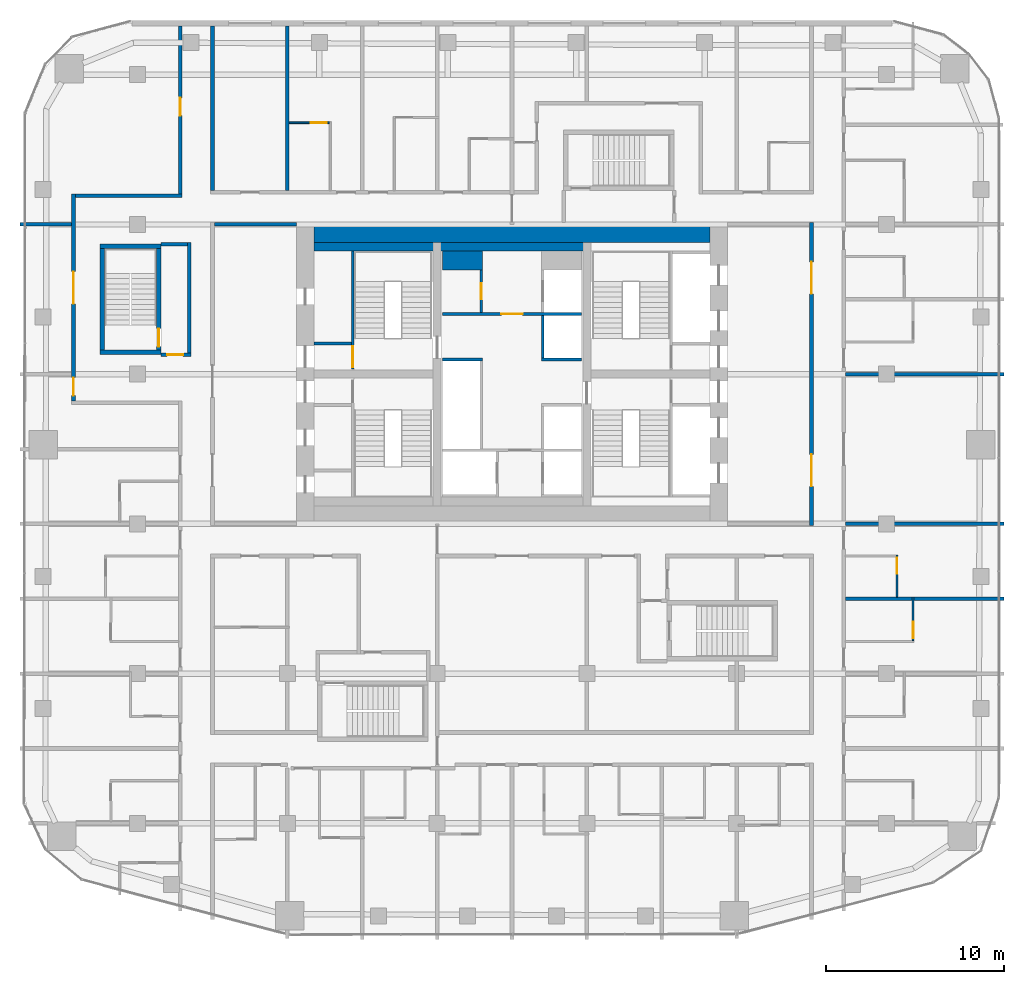
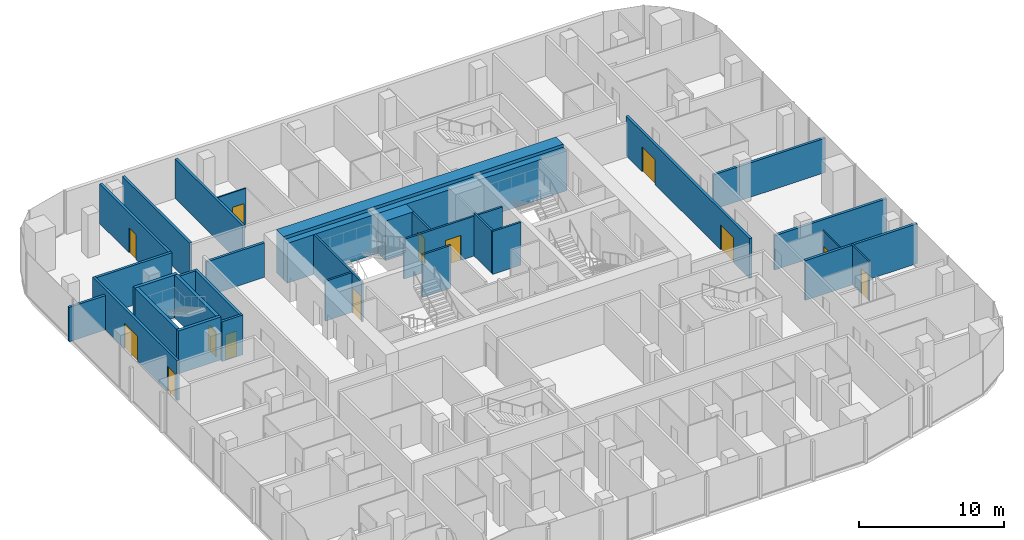
# One storey, part 18 of 23: 31 walls, 13 doors, 13 openings.
"""IFC4 building model written with IfcOpenShell, lengths in metres."""

from ifc_helpers import new_model, si_unit, direction, frame, frame_2d, origin, place, context, subcontext, project, spatial, rectangle, extrude, material, layer, layer_set, type_object, element, fill, save


model = new_model("IFC4")

# Units and contexts
model_context = context("Model", 3, precision=1e-05, world=origin(), true_north=direction((0.0, 1.0)))
body_context = subcontext(model_context, "Body", "Model", "MODEL_VIEW")
ifc_project = project(units=[si_unit("LENGTHUNIT", "METRE"), si_unit("AREAUNIT", "SQUARE_METRE"), si_unit("VOLUMEUNIT", "CUBIC_METRE"), si_unit("PLANEANGLEUNIT", "RADIAN"), si_unit("MASSUNIT", "GRAM", prefix="KILO")], contexts=[model_context])

# Site, building, storey
site_placement = place(None, origin())
site = spatial("IfcSite", under=ifc_project, at=site_placement, CompositionType="ELEMENT")
building_placement = place(site_placement, origin())
building = spatial("IfcBuilding", under=site, at=building_placement, Name="Marenta Gate Hotel Tower", CompositionType="ELEMENT")
storey_placement = place(building_placement, frame((0.0, 0.0, 112.10009765625)))
storey = spatial("IfcBuildingStorey", under=building, at=storey_placement, Name="L24", CompositionType="ELEMENT", Elevation=112.10009765625)

# Wall
ifc_material_1 = material(Name="Concrete blockwork", Category="masonry")
ifc_layer_1 = layer(ifc_material_1, 0.199951171875)
ifc_layer_set_1 = layer_set([ifc_layer_1], Name="Concrete blockwork")
wall_type_1 = type_object("IfcWallType", Name="Core boundary wall 200 REI 180", PredefinedType="PARTITIONING", material=ifc_layer_set_1)
wall_1_placement = place(storey_placement, frame((-16.699951171875, 16.800048828125, 0.0), z_axis=(0.0, 0.0, 1.0), x_axis=(1.0, 0.0, 0.0)))
element("IfcWall", 1, at=wall_1_placement, inside=storey, type_object=wall_type_1, Name="L24-CP-EW-WN", PredefinedType="PARTITIONING", context=body_context, shape_type="SweptSolid", body=[
    extrude(rectangle(XDim=4.599853515625, YDim=0.199951171875, at=frame_2d((2.2998046875, 0.0))), origin(), (0.0, 0.0, 1.0), 2.889892578125),
])

# Wall, openings, doors
wall_2_placement = place(storey_placement, frame((16.800048828125, -0.10009765625, 0.0), z_axis=(0.0, 0.0, 1.0), x_axis=(0.0, 1.0, 0.0)))
wall_2 = element("IfcWall", 2, at=wall_2_placement, inside=storey, type_object=wall_type_1, Name="L24-CP-BW-E", PredefinedType="PARTITIONING", context=body_context, shape_type="SweptSolid", body=[
    extrude(rectangle(XDim=17.0, YDim=0.199951171875, at=frame_2d((8.5, 0.0))), origin(), (0.0, 0.0, 1.0), 3.33984375),
])
opening_1_placement = place(wall_2_placement, frame((2.199951171875, 0.0, 0.0)))
opening_1 = element("IfcOpeningElement", 3, at=opening_1_placement, cuts=wall_2, Name="Opening ED-Ea-B", PredefinedType="OPENING", context=body_context, shape_type="SweptSolid", body=[
    extrude(rectangle(XDim=1.800048828125, YDim=2.10009765625, at=frame_2d((0.89990234375, 1.050048828125))), frame((0.0, 0.10009765625, 0.0), z_axis=(0.0, -1.0, 0.0), x_axis=(1.0, 0.0, 0.0)), (0.0, 0.0, 1.0), 0.199951171875),
])
opening_2_placement = place(wall_2_placement, frame((13.0, 0.0, 0.0)))
opening_2 = element("IfcOpeningElement", 4, at=opening_2_placement, cuts=wall_2, Name="Opening ED-Eb-B", PredefinedType="OPENING", context=body_context, shape_type="SweptSolid", body=[
    extrude(rectangle(XDim=1.800048828125, YDim=2.10009765625, at=frame_2d((0.89990234375, 1.050048828125))), frame((0.0, 0.10009765625, 0.0), z_axis=(0.0, -1.0, 0.0), x_axis=(1.0, 0.0, 0.0)), (0.0, 0.0, 1.0), 0.199951171875),
])
ifc_material_2 = material(Name="Steel", Category="steel")
door_type_1 = type_object("IfcDoorType", Name="Core lobby entrance door 1800x2100 EI 60", OperationType="DOUBLE_DOOR_SINGLE_SWING", PredefinedType="DOOR", material=ifc_material_2)
door_1_placement = place(opening_1_placement, origin())
door_1 = element("IfcDoor", 5, at=door_1_placement, inside=storey, type_object=door_type_1, Name="ED-Ea-B", OperationType="DOUBLE_DOOR_SINGLE_SWING", OverallHeight=2.10009765625, OverallWidth=1.800048828125, PredefinedType="DOOR", context=body_context, shape_type="SweptSolid", body=[
    extrude(rectangle(XDim=1.800048828125, YDim=2.10009765625, at=frame_2d((0.89990234375, 1.050048828125))), frame((0.0, 0.02490234375, 0.0), z_axis=(0.0, -1.0, 0.0), x_axis=(1.0, 0.0, 0.0)), (0.0, 0.0, 1.0), 0.050048828125),
])
fill(opening_1, door_1)
door_2_placement = place(opening_2_placement, origin())
door_2 = element("IfcDoor", 6, at=door_2_placement, inside=storey, type_object=door_type_1, Name="ED-Eb-B", OperationType="DOUBLE_DOOR_SINGLE_SWING", OverallHeight=2.10009765625, OverallWidth=1.800048828125, PredefinedType="DOOR", context=body_context, shape_type="SweptSolid", body=[
    extrude(rectangle(XDim=1.800048828125, YDim=2.10009765625, at=frame_2d((0.89990234375, 1.050048828125))), frame((0.0, 0.02490234375, 0.0), z_axis=(0.0, -1.0, 0.0), x_axis=(1.0, 0.0, 0.0)), (0.0, 0.0, 1.0), 0.050048828125),
])
fill(opening_2, door_2)

# Wall
ifc_material_3 = material(Name="Concrete C40", Category="concrete")
ifc_layer_2 = layer(ifc_material_3, 0.5)
ifc_layer_set_2 = layer_set([ifc_layer_2], Name="Concrete C40")
wall_type_2 = type_object("IfcWallType", Name="Core lining wall 500 REI 180", PredefinedType="PARTITIONING", material=ifc_layer_set_2)
wall_3_placement = place(storey_placement, frame((-11.10009765625, 15.550048828125, 0.0), z_axis=(0.0, 0.0, 1.0), x_axis=(1.0, 0.0, 0.0)))
element("IfcWall", 7, at=wall_3_placement, inside=storey, type_object=wall_type_2, Name="L24-CP-LN-N", PredefinedType="PARTITIONING", context=body_context, shape_type="SweptSolid", body=[
    extrude(rectangle(XDim=22.2001953125, YDim=0.5, at=frame_2d((11.10009765625, 0.0))), origin(), (0.0, 0.0, 1.0), 3.33984375),
])

# Wall, opening, door
ifc_material_4 = material(Name="Concrete blockwork", Category="masonry")
ifc_layer_3 = layer(ifc_material_4, 0.14990234375)
ifc_layer_set_3 = layer_set([ifc_layer_3], Name="Concrete blockwork")
wall_type_3 = type_object("IfcWallType", Name="Core lobby partition 150 REI 180", PredefinedType="PARTITIONING", material=ifc_layer_set_3)
wall_4_placement = place(storey_placement, frame((-3.89990234375, 11.77490234375, 0.0), z_axis=(0.0, 0.0, 1.0), x_axis=(1.0, 0.0, 0.0)))
wall_4 = element("IfcWall", 8, at=wall_4_placement, inside=storey, type_object=wall_type_3, Name="L24-CP-CW-N", PredefinedType="PARTITIONING", context=body_context, shape_type="SweptSolid", body=[
    extrude(rectangle(XDim=7.7998046875, YDim=0.14990234375, at=frame_2d((3.89990234375, 0.0))), origin(), (0.0, 0.0, 1.0), 3.33984375),
])
opening_3_placement = place(wall_4_placement, frame((3.300048828125, 0.0, 0.0)))
opening_3 = element("IfcOpeningElement", 9, at=opening_3_placement, cuts=wall_4, Name="Opening FD-FFN", PredefinedType="OPENING", context=body_context, shape_type="SweptSolid", body=[
    extrude(rectangle(XDim=1.199951171875, YDim=2.10009765625, at=frame_2d((0.60009765625, 1.050048828125))), frame((0.0, 0.074951171875, 0.0), z_axis=(0.0, -1.0, 0.0), x_axis=(1.0, 0.0, 0.0)), (0.0, 0.0, 1.0), 0.14990234375),
])
ifc_material_5 = material(Name="Steel", Category="steel")
door_type_2 = type_object("IfcDoorType", Name="Core lobby door 1200x2100 FD60", OperationType="SINGLE_SWING_LEFT", PredefinedType="DOOR", material=ifc_material_5)
door_3_placement = place(opening_3_placement, origin())
door_3 = element("IfcDoor", 10, at=door_3_placement, inside=storey, type_object=door_type_2, Name="FD-FFN", OperationType="SINGLE_SWING_LEFT", OverallHeight=2.10009765625, OverallWidth=1.199951171875, PredefinedType="DOOR", context=body_context, shape_type="SweptSolid", body=[
    extrude(rectangle(XDim=1.199951171875, YDim=2.10009765625, at=frame_2d((0.60009765625, 1.050048828125))), frame((0.0, 0.02490234375, 0.0), z_axis=(0.0, -1.0, 0.0), x_axis=(1.0, 0.0, 0.0)), (0.0, 0.0, 1.0), 0.050048828125),
])
fill(opening_3, door_3)

# Walls
ifc_material_6 = material(Name="Concrete blockwork", Category="masonry")
ifc_layer_4 = layer(ifc_material_6, 1.050048828125)
ifc_layer_set_4 = layer_set([ifc_layer_4], Name="Concrete blockwork")
wall_type_4 = type_object("IfcWallType", Name="Core room partition 1050 REI 180", PredefinedType="PARTITIONING", material=ifc_layer_set_4)
wall_5_placement = place(storey_placement, frame((-3.89990234375, 14.77490234375, 0.0), z_axis=(0.0, 0.0, 1.0), x_axis=(1.0, 0.0, 0.0)))
element("IfcWall", 11, at=wall_5_placement, inside=storey, type_object=wall_type_4, Name="L24-CP-CW-W-riser-N", PredefinedType="PARTITIONING", context=body_context, shape_type="SweptSolid", body=[
    extrude(rectangle(XDim=2.25, YDim=1.050048828125, at=frame_2d((1.125, 0.0))), origin(), (0.0, 0.0, 1.0), 3.33984375),
])
ifc_material_7 = material(Name="Concrete blockwork", Category="masonry")
ifc_layer_5 = layer(ifc_material_7, 0.14990234375)
ifc_layer_set_5 = layer_set([ifc_layer_5], Name="Concrete blockwork")
wall_type_5 = type_object("IfcWallType", Name="Core room partition 150 REI 180", PredefinedType="PARTITIONING", material=ifc_layer_set_5)
wall_6_placement = place(storey_placement, frame((-11.10009765625, 10.125, 0.0), z_axis=(0.0, 0.0, 1.0), x_axis=(1.0, 0.0, 0.0)))
element("IfcWall", 12, at=wall_6_placement, inside=storey, type_object=wall_type_5, Name="L24-CP-SW-WN-2", PredefinedType="PARTITIONING", context=body_context, shape_type="SweptSolid", body=[
    extrude(rectangle(XDim=2.10009765625, YDim=0.14990234375, at=frame_2d((1.050048828125, 0.0))), origin(), (0.0, 0.0, 1.0), 3.33984375),
])

# Wall, opening, door
wall_7_placement = place(storey_placement, frame((-1.72509765625, 11.85009765625, 0.0), z_axis=(0.0, 0.0, 1.0), x_axis=(0.0, 1.0, 0.0)))
wall_7 = element("IfcWall", 13, at=wall_7_placement, inside=storey, type_object=wall_type_5, Name="L24-CP-CW-W-riser-front", PredefinedType="PARTITIONING", context=body_context, shape_type="SweptSolid", body=[
    extrude(rectangle(XDim=2.39990234375, YDim=0.14990234375, at=frame_2d((1.199951171875, 0.0))), origin(), (0.0, 0.0, 1.0), 3.33984375),
])
opening_4_placement = place(wall_7_placement, frame((0.75, 0.0, 0.0)))
opening_4 = element("IfcOpeningElement", 14, at=opening_4_placement, cuts=wall_7, Name="Opening RD-CRISER", PredefinedType="OPENING", context=body_context, shape_type="SweptSolid", body=[
    extrude(rectangle(XDim=0.89990234375, YDim=2.10009765625, at=frame_2d((0.449951171875, 1.050048828125))), frame((0.0, 0.074951171875, 0.0), z_axis=(0.0, -1.0, 0.0), x_axis=(1.0, 0.0, 0.0)), (0.0, 0.0, 1.0), 0.14990234375),
])
ifc_material_8 = material(Name="Steel", Category="steel")
door_type_3 = type_object("IfcDoorType", Name="Core riser door 900x2100 FD60", OperationType="SINGLE_SWING_LEFT", PredefinedType="DOOR", material=ifc_material_8)
door_4_placement = place(opening_4_placement, origin())
door_4 = element("IfcDoor", 15, at=door_4_placement, inside=storey, type_object=door_type_3, Name="RD-CRISER", OperationType="SINGLE_SWING_LEFT", OverallHeight=2.10009765625, OverallWidth=0.89990234375, PredefinedType="DOOR", context=body_context, shape_type="SweptSolid", body=[
    extrude(rectangle(XDim=0.89990234375, YDim=2.10009765625, at=frame_2d((0.449951171875, 1.050048828125))), frame((0.0, 0.02490234375, 0.0), z_axis=(0.0, -1.0, 0.0), x_axis=(1.0, 0.0, 0.0)), (0.0, 0.0, 1.0), 0.050048828125),
])
fill(opening_4, door_4)

# Walls
ifc_material_9 = material(Name="Concrete C40", Category="concrete")
ifc_layer_6 = layer(ifc_material_9, 0.14990234375)
ifc_layer_set_6 = layer_set([ifc_layer_6], Name="Concrete C40")
wall_type_6 = type_object("IfcWallType", Name="Core shaft wall 150 REI 180", PredefinedType="SHEAR", material=ifc_layer_set_6)
for number, where, z_axis, x_axis, name in (
    (16, (-3.89990234375, 9.22509765625, 0.0), (0.0, 0.0, 1.0), (1.0, 0.0, 0.0), "L24-SHF-CW-W-sep"),
    (17, (1.64990234375, 9.22509765625, 0.0), (0.0, 0.0, 1.0), (1.0, 0.0, 0.0), "L24-SHF-CE-sep2"),
):
    element("IfcWall", number, at=place(storey_placement, frame(where, z_axis=z_axis, x_axis=x_axis)), inside=storey, type_object=wall_type_6, Name=name, PredefinedType="SHEAR", context=body_context, shape_type="SweptSolid", body=[
        extrude(rectangle(XDim=2.25, YDim=0.14990234375, at=frame_2d((1.125, 0.0))), origin(), (0.0, 0.0, 1.0), 3.599853515625),
    ])
wall_8_placement = place(storey_placement, frame((1.72509765625, 9.300048828125, 0.0), z_axis=(0.0, 0.0, 1.0), x_axis=(0.0, 1.0, 0.0)))
element("IfcWall", 18, at=wall_8_placement, inside=storey, type_object=wall_type_6, Name="L24-SHF-CE-front-2", PredefinedType="SHEAR", context=body_context, shape_type="SweptSolid", body=[
    extrude(rectangle(XDim=2.39990234375, YDim=0.14990234375, at=frame_2d((1.199951171875, 0.0))), origin(), (0.0, 0.0, 1.0), 3.599853515625),
])

# Wall, opening, door
ifc_material_10 = material(Name="Concrete C40", Category="concrete")
ifc_layer_7 = layer(ifc_material_10, 0.14990234375)
ifc_layer_set_7 = layer_set([ifc_layer_7], Name="Concrete C40")
wall_type_7 = type_object("IfcWallType", Name="Core stair enclosure wall 150 REI 180", PredefinedType="SHEAR", material=ifc_layer_set_7)
wall_9_placement = place(storey_placement, frame((-8.925048828125, 8.699951171875, 0.0), z_axis=(0.0, 0.0, 1.0), x_axis=(0.0, 1.0, 0.0)))
wall_9 = element("IfcWall", 19, at=wall_9_placement, inside=storey, type_object=wall_type_7, Name="L24-SHF-SW-WN-3", PredefinedType="SHEAR", context=body_context, shape_type="SweptSolid", body=[
    extrude(rectangle(XDim=6.60009765625, YDim=0.14990234375, at=frame_2d((3.300048828125, 0.0))), origin(), (0.0, 0.0, 1.0), 3.33984375),
])
opening_5_placement = place(wall_9_placement, frame((0.074951171875, 0.0, 0.0)))
opening_5 = element("IfcOpeningElement", 20, at=opening_5_placement, cuts=wall_9, Name="Opening SD-WN", PredefinedType="OPENING", context=body_context, shape_type="SweptSolid", body=[
    extrude(rectangle(XDim=1.199951171875, YDim=2.10009765625, at=frame_2d((0.60009765625, 1.050048828125))), frame((0.0, 0.074951171875, 0.0), z_axis=(0.0, -1.0, 0.0), x_axis=(1.0, 0.0, 0.0)), (0.0, 0.0, 1.0), 0.14990234375),
])
ifc_material_11 = material(Name="Steel", Category="steel")
door_type_4 = type_object("IfcDoorType", Name="Core stair door 1200x2100 FD60", OperationType="SINGLE_SWING_LEFT", PredefinedType="DOOR", material=ifc_material_11)
door_5_placement = place(opening_5_placement, origin())
door_5 = element("IfcDoor", 21, at=door_5_placement, inside=storey, type_object=door_type_4, Name="SD-WN", OperationType="SINGLE_SWING_LEFT", OverallHeight=2.10009765625, OverallWidth=1.199951171875, PredefinedType="DOOR", context=body_context, shape_type="SweptSolid", body=[
    extrude(rectangle(XDim=1.199951171875, YDim=2.10009765625, at=frame_2d((0.60009765625, 1.050048828125))), frame((0.0, 0.02490234375, 0.0), z_axis=(0.0, -1.0, 0.0), x_axis=(1.0, 0.0, 0.0)), (0.0, 0.0, 1.0), 0.050048828125),
])
fill(opening_5, door_5)

# Walls
ifc_material_12 = material(Name="Concrete C70", Category="concrete")
ifc_layer_8 = layer(ifc_material_12, 1.0)
ifc_layer_set_8 = layer_set([ifc_layer_8], Name="Concrete C70")
wall_type_8 = type_object("IfcWallType", Name="Core wall 1000 C70", PredefinedType="SHEAR", material=ifc_layer_set_8)
wall_10_placement = place(storey_placement, frame((-11.10009765625, 16.300048828125, 0.0), z_axis=(0.0, 0.0, 1.0), x_axis=(1.0, 0.0, 0.0)))
element("IfcWall", 22, at=wall_10_placement, inside=storey, type_object=wall_type_8, Name="L24-CORE-N", PredefinedType="SHEAR", context=body_context, shape_type="SweptSolid", body=[
    extrude(rectangle(XDim=22.2001953125, YDim=1.0, at=frame_2d((11.10009765625, 0.0))), origin(), (0.0, 0.0, 1.0), 3.599853515625),
])
ifc_material_13 = material(Name="Concrete C40", Category="concrete")
ifc_layer_9 = layer(ifc_material_13, 0.25)
ifc_layer_set_9 = layer_set([ifc_layer_9], Name="Concrete C40")
wall_type_9 = type_object("IfcWallType", Name="Remote stair enclosure wall 250 REI 180", PredefinedType="SHEAR", material=ifc_layer_set_9)
for number, where, z_axis, x_axis, name in (
    (23, (-23.10009765625, 9.625, 0.099853515625), (0.0, 0.0, 1.0), (1.0, 0.0, 0.0), "L24-RS-Z1-3-W1"),
    (24, (-23.10009765625, 15.574951171875, 0.099853515625), (0.0, 0.0, 1.0), (1.0, 0.0, 0.0), "L24-RS-Z1-3-W2"),
):
    element("IfcWall", number, at=place(storey_placement, frame(where, z_axis=z_axis, x_axis=x_axis)), inside=storey, type_object=wall_type_9, Name=name, PredefinedType="SHEAR", context=body_context, shape_type="SweptSolid", body=[
        extrude(rectangle(XDim=3.400146484375, YDim=0.25, at=frame_2d((1.7001953125, 0.0))), origin(), (0.0, 0.0, 1.0), 3.60009765625),
    ])
wall_11_placement = place(storey_placement, frame((-22.97509765625, 9.75, 0.099853515625), z_axis=(0.0, 0.0, 1.0), x_axis=(0.0, 1.0, 0.0)))
element("IfcWall", 25, at=wall_11_placement, inside=storey, type_object=wall_type_9, Name="L24-RS-Z1-3-W3", PredefinedType="SHEAR", context=body_context, shape_type="SweptSolid", body=[
    extrude(rectangle(XDim=5.699951171875, YDim=0.25, at=frame_2d((2.85009765625, 0.0))), origin(), (0.0, 0.0, 1.0), 3.60009765625),
])

# Wall, opening, door
wall_12_placement = place(storey_placement, frame((-19.824951171875, 9.75, 0.099853515625), z_axis=(0.0, 0.0, 1.0), x_axis=(0.0, 1.0, 0.0)))
wall_12 = element("IfcWall", 26, at=wall_12_placement, inside=storey, type_object=wall_type_9, Name="L24-RS-Z1-3-W4", PredefinedType="SHEAR", context=body_context, shape_type="SweptSolid", body=[
    extrude(rectangle(XDim=5.699951171875, YDim=0.25, at=frame_2d((2.85009765625, 0.0))), origin(), (0.0, 0.0, 1.0), 3.60009765625),
])
opening_6_placement = place(wall_12_placement, frame((0.199951171875, 0.0, 0.0)))
opening_6 = element("IfcOpeningElement", 27, at=opening_6_placement, cuts=wall_12, Name="Opening VD", PredefinedType="OPENING", context=body_context, shape_type="SweptSolid", body=[
    extrude(rectangle(XDim=1.0, YDim=2.10009765625, at=frame_2d((0.5, 1.050048828125))), frame((0.0, 0.125, 0.0), z_axis=(0.0, -1.0, 0.0), x_axis=(1.0, 0.0, 0.0)), (0.0, 0.0, 1.0), 0.25),
])
ifc_material_14 = material(Name="Steel", Category="steel")
door_type_5 = type_object("IfcDoorType", Name="Stair vestibule door 1000x2100 FD60", OperationType="SINGLE_SWING_LEFT", PredefinedType="DOOR", material=ifc_material_14)
door_6_placement = place(opening_6_placement, origin())
door_6 = element("IfcDoor", 28, at=door_6_placement, inside=storey, type_object=door_type_5, Name="VD", OperationType="SINGLE_SWING_LEFT", OverallHeight=2.10009765625, OverallWidth=1.0, PredefinedType="DOOR", context=body_context, shape_type="SweptSolid", body=[
    extrude(rectangle(XDim=1.0, YDim=2.10009765625, at=frame_2d((0.5, 1.050048828125))), frame((0.0, 0.02490234375, 0.0), z_axis=(0.0, -1.0, 0.0), x_axis=(1.0, 0.0, 0.0)), (0.0, 0.0, 1.0), 0.050048828125),
])
fill(opening_6, door_6)

# Walls
ifc_material_15 = material(Name="Gypsum board on steel stud", Category="steel")
ifc_layer_10 = layer(ifc_material_15, 0.199951171875)
ifc_layer_set_10 = layer_set([ifc_layer_10], Name="Gypsum board on steel stud")
wall_type_10 = type_object("IfcWallType", Name="Room corridor wall 200 EI 60", PredefinedType="PARTITIONING", material=ifc_layer_set_10)
wall_13_placement = place(storey_placement, frame((-16.800048828125, 18.699951171875, 0.0), z_axis=(0.0, 0.0, 1.0), x_axis=(0.0, 1.0, 0.0)))
element("IfcWall", 29, at=wall_13_placement, inside=storey, type_object=wall_type_10, Name="L24-PTN-W105", PredefinedType="PARTITIONING", context=body_context, shape_type="SweptSolid", body=[
    extrude(rectangle(XDim=9.239990234375, YDim=0.199951171875, at=frame_2d((4.6201171875, 0.0))), origin(), (0.0, 0.0, 1.0), 3.33984375),
])
wall_14_placement = place(storey_placement, frame((-24.5, 18.39990234375, 0.0), z_axis=(0.0, 0.0, 1.0), x_axis=(1.0, 0.0, 0.0)))
element("IfcWall", 30, at=wall_14_placement, inside=storey, type_object=wall_type_10, Name="L24-PTN-W109", PredefinedType="PARTITIONING", context=body_context, shape_type="SweptSolid", body=[
    extrude(rectangle(XDim=6.0, YDim=0.199951171875, at=frame_2d((3.0, 0.0))), origin(), (0.0, 0.0, 1.0), 3.33984375),
])

# Wall, opening, door
wall_15_placement = place(storey_placement, frame((-18.60009765625, 18.5, 0.0), z_axis=(0.0, 0.0, 1.0), x_axis=(0.0, 1.0, 0.0)))
wall_15 = element("IfcWall", 31, at=wall_15_placement, inside=storey, type_object=wall_type_10, Name="L24-PTN-W111", PredefinedType="PARTITIONING", context=body_context, shape_type="SweptSolid", body=[
    extrude(rectangle(XDim=9.43994140625, YDim=0.199951171875, at=frame_2d((4.719970703125, 0.0))), origin(), (0.0, 0.0, 1.0), 3.33984375),
])
opening_7_placement = place(wall_15_placement, frame((4.39990234375, 0.0, 0.0)))
opening_7 = element("IfcOpeningElement", 32, at=opening_7_placement, cuts=wall_15, Name="Opening G08-70", PredefinedType="OPENING", context=body_context, shape_type="SweptSolid", body=[
    extrude(rectangle(XDim=1.0, YDim=2.10009765625, at=frame_2d((0.5, 1.050048828125))), frame((0.0, 0.10009765625, 0.0), z_axis=(0.0, -1.0, 0.0), x_axis=(1.0, 0.0, 0.0)), (0.0, 0.0, 1.0), 0.199951171875),
])
ifc_material_16 = material(Name="Timber door leaf", Category="wood")
door_type_6 = type_object("IfcDoorType", Name="Room amenity door 1000x2100 EI 30", OperationType="NOTDEFINED", PredefinedType="DOOR", material=ifc_material_16)
door_7_placement = place(opening_7_placement, origin())
door_7 = element("IfcDoor", 33, at=door_7_placement, inside=storey, type_object=door_type_6, Name="L24-PD-D070", OperationType="SINGLE_SWING_RIGHT", OverallHeight=2.10009765625, OverallWidth=1.0, PredefinedType="DOOR", context=body_context, shape_type="SweptSolid", body=[
    extrude(rectangle(XDim=1.0, YDim=2.10009765625, at=frame_2d((0.5, 1.050048828125))), frame((0.0, 0.02490234375, 0.0), z_axis=(0.0, -1.0, 0.0), x_axis=(1.0, 0.0, 0.0)), (0.0, 0.0, 1.0), 0.050048828125),
])
fill(opening_7, door_7)

# Wall, openings, doors
wall_16_placement = place(storey_placement, frame((-24.60009765625, 6.89990234375, 0.0), z_axis=(0.0, 0.0, 1.0), x_axis=(0.0, 1.0, 0.0)))
wall_16 = element("IfcWall", 34, at=wall_16_placement, inside=storey, type_object=wall_type_10, Name="L24-PTN-W129", PredefinedType="PARTITIONING", context=body_context, shape_type="SweptSolid", body=[
    extrude(rectangle(XDim=11.60009765625, YDim=0.199951171875, at=frame_2d((5.800048828125, 0.0))), origin(), (0.0, 0.0, 1.0), 3.33984375),
])
opening_8_placement = place(wall_16_placement, frame((5.449951171875, 0.0, 0.0)))
opening_8 = element("IfcOpeningElement", 35, at=opening_8_placement, cuts=wall_16, Name="Opening G08-65", PredefinedType="OPENING", context=body_context, shape_type="SweptSolid", body=[
    extrude(rectangle(XDim=1.800048828125, YDim=2.10009765625, at=frame_2d((0.89990234375, 1.050048828125))), frame((0.0, 0.10009765625, 0.0), z_axis=(0.0, -1.0, 0.0), x_axis=(1.0, 0.0, 0.0)), (0.0, 0.0, 1.0), 0.199951171875),
])
opening_9_placement = place(wall_16_placement, frame((0.300048828125, 0.0, 0.0)))
opening_9 = element("IfcOpeningElement", 36, at=opening_9_placement, cuts=wall_16, Name="Opening G08-71", PredefinedType="OPENING", context=body_context, shape_type="SweptSolid", body=[
    extrude(rectangle(XDim=1.0, YDim=2.10009765625, at=frame_2d((0.5, 1.050048828125))), frame((0.0, 0.10009765625, 0.0), z_axis=(0.0, -1.0, 0.0), x_axis=(1.0, 0.0, 0.0)), (0.0, 0.0, 1.0), 0.199951171875),
])
door_8_placement = place(opening_9_placement, origin())
door_8 = element("IfcDoor", 37, at=door_8_placement, inside=storey, type_object=door_type_6, Name="L24-PD-D071", OperationType="SINGLE_SWING_LEFT", OverallHeight=2.10009765625, OverallWidth=1.0, PredefinedType="DOOR", context=body_context, shape_type="SweptSolid", body=[
    extrude(rectangle(XDim=1.0, YDim=2.10009765625, at=frame_2d((0.5, 1.050048828125))), frame((0.0, 0.02490234375, 0.0), z_axis=(0.0, -1.0, 0.0), x_axis=(1.0, 0.0, 0.0)), (0.0, 0.0, 1.0), 0.050048828125),
])
fill(opening_9, door_8)
ifc_material_17 = material(Name="Timber door leaf", Category="wood")
door_type_7 = type_object("IfcDoorType", Name="Room amenity door 1800x2100 EI 30", OperationType="DOUBLE_DOOR_SINGLE_SWING", PredefinedType="DOOR", material=ifc_material_17)
door_9_placement = place(opening_8_placement, origin())
door_9 = element("IfcDoor", 38, at=door_9_placement, inside=storey, type_object=door_type_7, Name="L24-PD-D065", OperationType="DOUBLE_DOOR_SINGLE_SWING", OverallHeight=2.10009765625, OverallWidth=1.800048828125, PredefinedType="DOOR", context=body_context, shape_type="SweptSolid", body=[
    extrude(rectangle(XDim=1.800048828125, YDim=2.10009765625, at=frame_2d((0.89990234375, 1.050048828125))), frame((0.0, 0.02490234375, 0.0), z_axis=(0.0, -1.0, 0.0), x_axis=(1.0, 0.0, 0.0)), (0.0, 0.0, 1.0), 0.050048828125),
])
fill(opening_8, door_9)

# Wall, opening, door
ifc_material_18 = material(Name="Concrete blockwork", Category="masonry")
ifc_layer_11 = layer(ifc_material_18, 0.199951171875)
ifc_layer_set_11 = layer_set([ifc_layer_11], Name="Concrete blockwork")
wall_type_11 = type_object("IfcWallType", Name="Room corridor wall 200 REI 180", PredefinedType="PARTITIONING", material=ifc_layer_set_11)
wall_17_placement = place(storey_placement, frame((-19.699951171875, 9.5, 0.0), z_axis=(0.0, 0.0, 1.0), x_axis=(1.0, 0.0, 0.0)))
wall_17 = element("IfcWall", 39, at=wall_17_placement, inside=storey, type_object=wall_type_11, Name="L24-PTN-W091", PredefinedType="PARTITIONING", context=body_context, shape_type="SweptSolid", body=[
    extrude(rectangle(XDim=1.699951171875, YDim=0.199951171875, at=frame_2d((0.85009765625, 0.0))), origin(), (0.0, 0.0, 1.0), 3.33984375),
])
opening_10_placement = place(wall_17_placement, frame((0.35009765625, 0.0, 0.0)))
opening_10 = element("IfcOpeningElement", 40, at=opening_10_placement, cuts=wall_17, Name="Opening G08-66", PredefinedType="OPENING", context=body_context, shape_type="SweptSolid", body=[
    extrude(rectangle(XDim=0.89990234375, YDim=2.10009765625, at=frame_2d((0.449951171875, 1.050048828125))), frame((0.0, 0.10009765625, 0.0), z_axis=(0.0, -1.0, 0.0), x_axis=(1.0, 0.0, 0.0)), (0.0, 0.0, 1.0), 0.199951171875),
])
ifc_material_19 = material(Name="Hollow steel door set", Category="steel")
door_type_8 = type_object("IfcDoorType", Name="Stair vestibule door 900x2100 EI 60", OperationType="NOTDEFINED", PredefinedType="DOOR", material=ifc_material_19)
door_10_placement = place(opening_10_placement, origin())
door_10 = element("IfcDoor", 41, at=door_10_placement, inside=storey, type_object=door_type_8, Name="L24-PD-D066", OperationType="SINGLE_SWING_RIGHT", OverallHeight=2.10009765625, OverallWidth=0.89990234375, PredefinedType="DOOR", context=body_context, shape_type="SweptSolid", body=[
    extrude(rectangle(XDim=0.89990234375, YDim=2.10009765625, at=frame_2d((0.449951171875, 1.050048828125))), frame((0.0, 0.02490234375, 0.0), z_axis=(0.0, -1.0, 0.0), x_axis=(1.0, 0.0, 0.0)), (0.0, 0.0, 1.0), 0.050048828125),
])
fill(opening_10, door_10)

# Walls
wall_18_placement = place(storey_placement, frame((-19.699951171875, 15.699951171875, 0.0), z_axis=(0.0, 0.0, 1.0), x_axis=(1.0, 0.0, 0.0)))
element("IfcWall", 42, at=wall_18_placement, inside=storey, type_object=wall_type_11, Name="L24-PTN-W102", PredefinedType="PARTITIONING", context=body_context, shape_type="SweptSolid", body=[
    extrude(rectangle(XDim=1.5, YDim=0.199951171875, at=frame_2d((0.75, 0.0))), origin(), (0.0, 0.0, 1.0), 3.33984375),
])
wall_19_placement = place(storey_placement, frame((-18.10009765625, 9.60009765625, 0.0), z_axis=(0.0, 0.0, 1.0), x_axis=(0.0, 1.0, 0.0)))
element("IfcWall", 43, at=wall_19_placement, inside=storey, type_object=wall_type_11, Name="L24-PTN-W108", PredefinedType="PARTITIONING", context=body_context, shape_type="SweptSolid", body=[
    extrude(rectangle(XDim=6.199951171875, YDim=0.199951171875, at=frame_2d((3.10009765625, 0.0))), origin(), (0.0, 0.0, 1.0), 3.33984375),
])

# Wall, opening, door
ifc_material_20 = material(Name="Gypsum board on steel stud", Category="steel")
ifc_layer_12 = layer(ifc_material_20, 0.10009765625)
ifc_layer_set_12 = layer_set([ifc_layer_12], Name="Gypsum board on steel stud")
wall_type_12 = type_object("IfcWallType", Name="Room partition 100", PredefinedType="PARTITIONING", material=ifc_layer_set_12)
wall_20_placement = place(storey_placement, frame((22.5, -6.550048828125, 0.0), z_axis=(0.0, 0.0, 1.0), x_axis=(0.0, 1.0, 0.0)))
wall_20 = element("IfcWall", 44, at=wall_20_placement, inside=storey, type_object=wall_type_12, Name="L24-PTN-W002", PredefinedType="PARTITIONING", context=body_context, shape_type="SweptSolid", body=[
    extrude(rectangle(XDim=2.449951171875, YDim=0.10009765625, at=frame_2d((1.22509765625, 0.0))), origin(), (0.0, 0.0, 1.0), 3.33984375),
])
opening_11_placement = place(wall_20_placement, frame((0.14990234375, 0.0, 0.0)))
opening_11 = element("IfcOpeningElement", 45, at=opening_11_placement, cuts=wall_20, Name="Opening G08-13", PredefinedType="OPENING", context=body_context, shape_type="SweptSolid", body=[
    extrude(rectangle(XDim=0.89990234375, YDim=2.10009765625, at=frame_2d((0.449951171875, 1.050048828125))), frame((0.0, 0.050048828125, 0.0), z_axis=(0.0, -1.0, 0.0), x_axis=(1.0, 0.0, 0.0)), (0.0, 0.0, 1.0), 0.10009765625),
])
ifc_material_21 = material(Name="Timber door leaf", Category="wood")
door_type_9 = type_object("IfcDoorType", Name="Guest bathroom door 900x2100", OperationType="NOTDEFINED", PredefinedType="DOOR", material=ifc_material_21)
door_11_placement = place(opening_11_placement, origin())
door_11 = element("IfcDoor", 46, at=door_11_placement, inside=storey, type_object=door_type_9, Name="L24-PD-D013", OperationType="SINGLE_SWING_LEFT", OverallHeight=2.10009765625, OverallWidth=0.89990234375, PredefinedType="DOOR", context=body_context, shape_type="SweptSolid", body=[
    extrude(rectangle(XDim=0.89990234375, YDim=2.10009765625, at=frame_2d((0.449951171875, 1.050048828125))), frame((0.0, 0.02490234375, 0.0), z_axis=(0.0, -1.0, 0.0), x_axis=(1.0, 0.0, 0.0)), (0.0, 0.0, 1.0), 0.050048828125),
])
fill(opening_11, door_11)

wall_21_placement = place(storey_placement, frame((21.60009765625, -4.10009765625, 0.0), z_axis=(0.0, 0.0, 1.0), x_axis=(0.0, 1.0, 0.0)))
wall_21 = element("IfcWall", 47, at=wall_21_placement, inside=storey, type_object=wall_type_12, Name="L24-PTN-W008", PredefinedType="PARTITIONING", context=body_context, shape_type="SweptSolid", body=[
    extrude(rectangle(XDim=2.35009765625, YDim=0.10009765625, at=frame_2d((1.175048828125, 0.0))), origin(), (0.0, 0.0, 1.0), 3.33984375),
])
opening_12_placement = place(wall_21_placement, frame((1.300048828125, 0.0, 0.0)))
opening_12 = element("IfcOpeningElement", 48, at=opening_12_placement, cuts=wall_21, Name="Opening G08-15", PredefinedType="OPENING", context=body_context, shape_type="SweptSolid", body=[
    extrude(rectangle(XDim=0.89990234375, YDim=2.10009765625, at=frame_2d((0.449951171875, 1.050048828125))), frame((0.0, 0.050048828125, 0.0), z_axis=(0.0, -1.0, 0.0), x_axis=(1.0, 0.0, 0.0)), (0.0, 0.0, 1.0), 0.10009765625),
])
door_12_placement = place(opening_12_placement, origin())
door_12 = element("IfcDoor", 49, at=door_12_placement, inside=storey, type_object=door_type_9, Name="L24-PD-D015", OperationType="SINGLE_SWING_RIGHT", OverallHeight=2.10009765625, OverallWidth=0.89990234375, PredefinedType="DOOR", context=body_context, shape_type="SweptSolid", body=[
    extrude(rectangle(XDim=0.89990234375, YDim=2.10009765625, at=frame_2d((0.449951171875, 1.050048828125))), frame((0.0, 0.02490234375, 0.0), z_axis=(0.0, -1.0, 0.0), x_axis=(1.0, 0.0, 0.0)), (0.0, 0.0, 1.0), 0.050048828125),
])
fill(opening_12, door_12)

wall_22_placement = place(storey_placement, frame((-12.5, 22.5, 0.0), z_axis=(0.0, 0.0, 1.0), x_axis=(1.0, 0.0, 0.0)))
wall_22 = element("IfcWall", 50, at=wall_22_placement, inside=storey, type_object=wall_type_12, Name="L24-PTN-W124", PredefinedType="PARTITIONING", context=body_context, shape_type="SweptSolid", body=[
    extrude(rectangle(XDim=2.25, YDim=0.10009765625, at=frame_2d((1.125, 0.0))), origin(), (0.0, 0.0, 1.0), 3.33984375),
])
opening_13_placement = place(wall_22_placement, frame((1.199951171875, 0.0, 0.0)))
opening_13 = element("IfcOpeningElement", 51, at=opening_13_placement, cuts=wall_22, Name="Opening G08-27", PredefinedType="OPENING", context=body_context, shape_type="SweptSolid", body=[
    extrude(rectangle(XDim=0.89990234375, YDim=2.10009765625, at=frame_2d((0.449951171875, 1.050048828125))), frame((0.0, 0.050048828125, 0.0), z_axis=(0.0, -1.0, 0.0), x_axis=(1.0, 0.0, 0.0)), (0.0, 0.0, 1.0), 0.10009765625),
])
door_13_placement = place(opening_13_placement, origin())
door_13 = element("IfcDoor", 52, at=door_13_placement, inside=storey, type_object=door_type_9, Name="L24-PD-D027", OperationType="SINGLE_SWING_LEFT", OverallHeight=2.10009765625, OverallWidth=0.89990234375, PredefinedType="DOOR", context=body_context, shape_type="SweptSolid", body=[
    extrude(rectangle(XDim=0.89990234375, YDim=2.10009765625, at=frame_2d((0.449951171875, 1.050048828125))), frame((0.0, 0.02490234375, 0.0), z_axis=(0.0, -1.0, 0.0), x_axis=(1.0, 0.0, 0.0)), (0.0, 0.0, 1.0), 0.050048828125),
])
fill(opening_13, door_13)

# Walls
ifc_material_22 = material(Name="Gypsum board on steel stud", Category="steel")
ifc_layer_13 = layer(ifc_material_22, 0.199951171875)
ifc_layer_set_13 = layer_set([ifc_layer_13], Name="Gypsum board on steel stud")
wall_type_13 = type_object("IfcWallType", Name="Room party wall 200 EI 60", PredefinedType="PARTITIONING", material=ifc_layer_set_13)
wall_23_placement = place(storey_placement, frame((18.699951171875, -4.199951171875, 0.0), z_axis=(0.0, 0.0, 1.0), x_axis=(1.0, 0.0, 0.0)))
element("IfcWall", 53, at=wall_23_placement, inside=storey, type_object=wall_type_13, Name="L24-PTN-W062", PredefinedType="PARTITIONING", context=body_context, shape_type="SweptSolid", body=[
    extrude(rectangle(XDim=8.900146484375, YDim=0.199951171875, at=frame_2d((4.4501953125, 0.0))), origin(), (0.0, 0.0, 1.0), 3.33984375),
])
for number, where, z_axis, x_axis, name in (
    (54, (18.699951171875, 0.0, 0.0), (0.0, 0.0, 1.0), (1.0, 0.0, 0.0), "L24-PTN-W074"),
    (55, (18.699951171875, 8.39990234375, 0.0), (0.0, 0.0, 1.0), (1.0, 0.0, 0.0), "L24-PTN-W089"),
):
    element("IfcWall", number, at=place(storey_placement, frame(where, z_axis=z_axis, x_axis=x_axis)), inside=storey, type_object=wall_type_13, Name=name, PredefinedType="PARTITIONING", context=body_context, shape_type="SweptSolid", body=[
        extrude(rectangle(XDim=8.900146484375, YDim=0.199951171875, at=frame_2d((4.4501953125, 0.0))), origin(), (0.0, 0.0, 1.0), 2.889892578125),
    ])
wall_24_placement = place(storey_placement, frame((-12.60009765625, 18.699951171875, 0.0), z_axis=(0.0, 0.0, 1.0), x_axis=(0.0, 1.0, 0.0)))
element("IfcWall", 56, at=wall_24_placement, inside=storey, type_object=wall_type_13, Name="L24-PTN-W098", PredefinedType="PARTITIONING", context=body_context, shape_type="SweptSolid", body=[
    extrude(rectangle(XDim=9.239990234375, YDim=0.199951171875, at=frame_2d((4.6201171875, 0.0))), origin(), (0.0, 0.0, 1.0), 3.33984375),
])
wall_25_placement = place(storey_placement, frame((-27.60009765625, 16.800048828125, 0.0), z_axis=(0.0, 0.0, 1.0), x_axis=(1.0, 0.0, 0.0)))
element("IfcWall", 57, at=wall_25_placement, inside=storey, type_object=wall_type_13, Name="L24-PTN-W106", PredefinedType="PARTITIONING", context=body_context, shape_type="SweptSolid", body=[
    extrude(rectangle(XDim=2.900146484375, YDim=0.199951171875, at=frame_2d((1.4501953125, 0.0))), origin(), (0.0, 0.0, 1.0), 2.889892578125),
])

save(model, "model.ifc")
